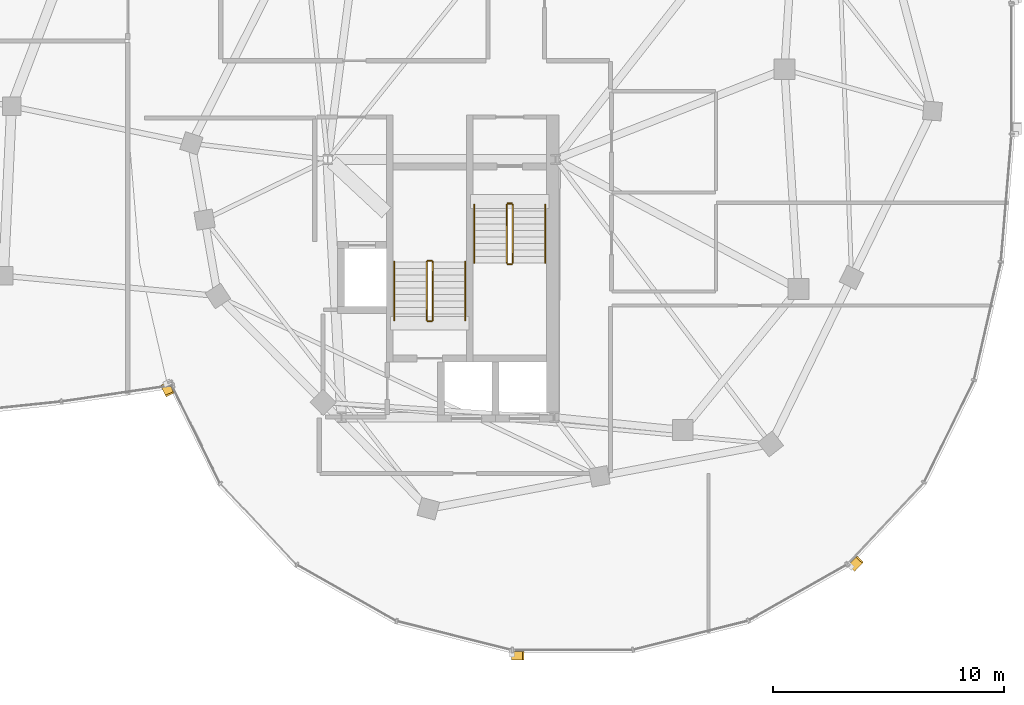
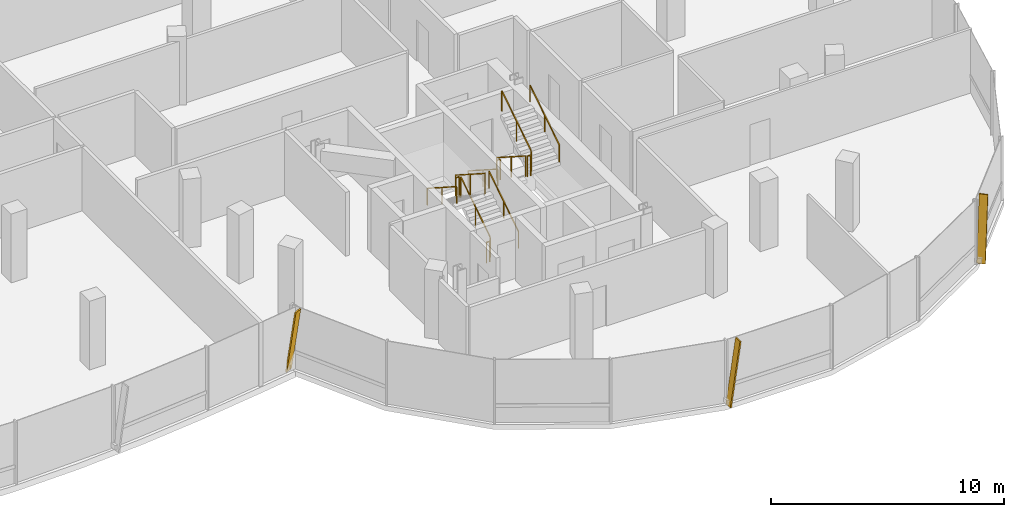
# One storey, part 24 of 25: 12 railings, 3 shading devices.
"""IFC4 building model written with IfcOpenShell, lengths in metres."""

from ifc_helpers import new_model, si_unit, direction, frame, origin, origin_2d, place, context, subcontext, project, spatial, rectangle, extrude, material, material_profile, profile_set, type_object, element, save


model = new_model("IFC4")

# Units and contexts
model_context = context("Model", 3, precision=1e-05, world=origin(), true_north=direction((0.0, 1.0)))
body_context = subcontext(model_context, "Body", "Model", "MODEL_VIEW")
ifc_project = project(units=[si_unit("LENGTHUNIT", "METRE"), si_unit("AREAUNIT", "SQUARE_METRE"), si_unit("VOLUMEUNIT", "CUBIC_METRE"), si_unit("PLANEANGLEUNIT", "RADIAN"), si_unit("MASSUNIT", "GRAM", prefix="KILO"), si_unit("THERMODYNAMICTEMPERATUREUNIT", "KELVIN"), si_unit("POWERUNIT", "WATT")], contexts=[model_context])

# Site, building, storey
site_placement = place(None, origin())
site = spatial("IfcSite", under=ifc_project, at=site_placement, CompositionType="ELEMENT")
building_placement = place(site_placement, origin())
building = spatial("IfcBuilding", under=site, at=building_placement, Name="Cundina Bronze Exchange", CompositionType="ELEMENT")
storey_placement = place(building_placement, frame((0.0, 0.0, 250.39990234375)))
storey = spatial("IfcBuildingStorey", under=building, at=storey_placement, Name="L66", CompositionType="ELEMENT", Elevation=250.39990234375)

# Railings
ifc_material_1 = material(Name="Steel ASTM A36 Painted", Category="steel")
railing_type_1 = type_object("IfcRailingType", Name="RLG-HND-900", PredefinedType="HANDRAIL", material=ifc_material_1)
railing_1_placement = place(storey_placement, frame((27.7900390625, -5.85009765625, 0.18017578125)))
element("IfcRailing", 1, at=railing_1_placement, inside=storey, type_object=railing_type_1, Name="L66 ST-E1 stair handrail 1", PredefinedType="HANDRAIL", context=body_context, shape_type="SweptSolid", body=[
    extrude(rectangle(XDim=0.048095703125, YDim=0.048095703125, at=origin_2d()), frame((0.0, 0.0, 0.8759765625), z_axis=(0.0, -0.841199657755, 0.540724639528), x_axis=(1.0, 0.0, 0.0)), (0.0, 0.0, 1.0), 2.995849609375),
    extrude(rectangle(XDim=0.0419921875, YDim=0.0419921875, at=origin_2d()), origin(), (0.0, 0.0, 1.0), 0.851806640625),
    extrude(rectangle(XDim=0.0419921875, YDim=0.0419921875, at=origin_2d()), frame((0.0, -1.260009765625, 0.81005859375)), (0.0, 0.0, 1.0), 0.851806640625),
    extrude(rectangle(XDim=0.0419921875, YDim=0.0419921875, at=origin_2d()), frame((0.0, -2.52001953125, 1.619873046875)), (0.0, 0.0, 1.0), 0.851806640625),
])
railing_2_placement = place(storey_placement, frame((30.85009765625, -8.3701171875, 1.97998046875)))
element("IfcRailing", 2, at=railing_2_placement, inside=storey, type_object=railing_type_1, Name="L66 ST-E1 stair handrail 2", PredefinedType="HANDRAIL", context=body_context, shape_type="SweptSolid", body=[
    extrude(rectangle(XDim=0.048095703125, YDim=0.048095703125, at=origin_2d()), frame((0.0, 0.0, 0.8759765625), z_axis=(0.0, 0.841162588446, 0.540782303519), x_axis=(-1.0, 0.0, 0.0)), (0.0, 0.0, 1.0), 2.995849609375),
    extrude(rectangle(XDim=0.0419921875, YDim=0.0419921875, at=origin_2d()), origin(), (0.0, 0.0, 1.0), 0.851806640625),
    extrude(rectangle(XDim=0.0419921875, YDim=0.0419921875, at=origin_2d()), frame((0.0, 1.260009765625, 0.81005859375)), (0.0, 0.0, 1.0), 0.851806640625),
    extrude(rectangle(XDim=0.0419921875, YDim=0.0419921875, at=origin_2d()), frame((0.0, 2.52001953125, 1.6201171875)), (0.0, 0.0, 1.0), 0.851806640625),
])
railing_3_placement = place(storey_placement, frame((27.389892578125, -10.85009765625, 0.18017578125)))
element("IfcRailing", 3, at=railing_3_placement, inside=storey, type_object=railing_type_1, Name="L66 ST-E2 stair handrail 1", PredefinedType="HANDRAIL", context=body_context, shape_type="SweptSolid", body=[
    extrude(rectangle(XDim=0.048095703125, YDim=0.048095703125, at=origin_2d()), frame((0.0, 0.0, 0.8759765625), z_axis=(0.0, 0.841199657755, 0.540724639528), x_axis=(-1.0, 0.0, 0.0)), (0.0, 0.0, 1.0), 2.995849609375),
    extrude(rectangle(XDim=0.0419921875, YDim=0.0419921875, at=origin_2d()), origin(), (0.0, 0.0, 1.0), 0.851806640625),
    extrude(rectangle(XDim=0.0419921875, YDim=0.0419921875, at=origin_2d()), frame((0.0, 1.260009765625, 0.81005859375)), (0.0, 0.0, 1.0), 0.851806640625),
    extrude(rectangle(XDim=0.0419921875, YDim=0.0419921875, at=origin_2d()), frame((0.0, 2.52001953125, 1.619873046875)), (0.0, 0.0, 1.0), 0.851806640625),
])
railing_4_placement = place(storey_placement, frame((24.330078125, -8.330078125, 1.97998046875)))
element("IfcRailing", 4, at=railing_4_placement, inside=storey, type_object=railing_type_1, Name="L66 ST-E2 stair handrail 2", PredefinedType="HANDRAIL", context=body_context, shape_type="SweptSolid", body=[
    extrude(rectangle(XDim=0.048095703125, YDim=0.048095703125, at=origin_2d()), frame((0.0, 0.0, 0.8759765625), z_axis=(0.0, -0.841162588446, 0.540782303519), x_axis=(1.0, 0.0, 0.0)), (0.0, 0.0, 1.0), 2.995849609375),
    extrude(rectangle(XDim=0.0419921875, YDim=0.0419921875, at=origin_2d()), origin(), (0.0, 0.0, 1.0), 0.851806640625),
    extrude(rectangle(XDim=0.0419921875, YDim=0.0419921875, at=origin_2d()), frame((0.0, -1.260009765625, 0.81005859375)), (0.0, 0.0, 1.0), 0.851806640625),
    extrude(rectangle(XDim=0.0419921875, YDim=0.0419921875, at=origin_2d()), frame((0.0, -2.52001953125, 1.6201171875)), (0.0, 0.0, 1.0), 0.851806640625),
])
railing_type_2 = type_object("IfcRailingType", Name="RLG-STG-1100", PredefinedType="GUARDRAIL", material=ifc_material_1)
railing_5_placement = place(storey_placement, frame((29.18994140625, -5.85009765625, 0.18017578125)))
element("IfcRailing", 5, at=railing_5_placement, inside=storey, type_object=railing_type_2, Name="L66 ST-E1 stair guard 1", PredefinedType="GUARDRAIL", context=body_context, shape_type="SweptSolid", body=[
    extrude(rectangle(XDim=0.048095703125, YDim=0.048095703125, at=origin_2d()), frame((0.0, 0.0, 1.076171875), z_axis=(0.0, -0.841199657755, 0.540724639528), x_axis=(1.0, 0.0, 0.0)), (0.0, 0.0, 1.0), 2.995849609375),
    extrude(rectangle(XDim=0.0419921875, YDim=0.0419921875, at=origin_2d()), origin(), (0.0, 0.0, 1.0), 1.052001953125),
    extrude(rectangle(XDim=0.0419921875, YDim=0.0419921875, at=origin_2d()), frame((0.0, -1.260009765625, 0.81005859375)), (0.0, 0.0, 1.0), 1.052001953125),
    extrude(rectangle(XDim=0.0419921875, YDim=0.0419921875, at=origin_2d()), frame((0.0, -2.52001953125, 1.619873046875)), (0.0, 0.0, 1.0), 1.052001953125),
])
railing_6_placement = place(storey_placement, frame((29.239990234375, -8.419921875, 1.800048828125)))
element("IfcRailing", 6, at=railing_6_placement, inside=storey, type_object=railing_type_2, Name="L66 ST-E1 stair guard 2", PredefinedType="GUARDRAIL", context=body_context, shape_type="SweptSolid", body=[
    extrude(rectangle(XDim=0.048095703125, YDim=0.048095703125, at=origin_2d()), frame((0.0, 0.0, 1.076171875), z_axis=(1.0, 0.0, 0.0), x_axis=(0.0, 1.0, 0.0)), (0.0, 0.0, 1.0), 0.159912109375),
    extrude(rectangle(XDim=0.0419921875, YDim=0.0419921875, at=origin_2d()), origin(), (0.0, 0.0, 1.0), 1.052001953125),
    extrude(rectangle(XDim=0.0419921875, YDim=0.0419921875, at=origin_2d()), frame((0.159912109375, 0.0, 0.0)), (0.0, 0.0, 1.0), 1.052001953125),
])
railing_7_placement = place(storey_placement, frame((29.449951171875, -8.3701171875, 1.97998046875)))
element("IfcRailing", 7, at=railing_7_placement, inside=storey, type_object=railing_type_2, Name="L66 ST-E1 stair guard 3", PredefinedType="GUARDRAIL", context=body_context, shape_type="SweptSolid", body=[
    extrude(rectangle(XDim=0.048095703125, YDim=0.048095703125, at=origin_2d()), frame((0.0, 0.0, 1.076171875), z_axis=(0.0, 0.841162588446, 0.540782303519), x_axis=(-1.0, 0.0, 0.0)), (0.0, 0.0, 1.0), 2.995849609375),
    extrude(rectangle(XDim=0.0419921875, YDim=0.0419921875, at=origin_2d()), origin(), (0.0, 0.0, 1.0), 1.052001953125),
    extrude(rectangle(XDim=0.0419921875, YDim=0.0419921875, at=origin_2d()), frame((0.0, 1.260009765625, 0.81005859375)), (0.0, 0.0, 1.0), 1.052001953125),
    extrude(rectangle(XDim=0.0419921875, YDim=0.0419921875, at=origin_2d()), frame((0.0, 2.52001953125, 1.6201171875)), (0.0, 0.0, 1.0), 1.052001953125),
])
railing_8_placement = place(storey_placement, frame((29.239990234375, -5.800048828125, 0.0)))
element("IfcRailing", 8, at=railing_8_placement, inside=storey, type_object=railing_type_2, Name="L66 ST-E1 stair guard 4", PredefinedType="GUARDRAIL", context=body_context, shape_type="SweptSolid", body=[
    extrude(rectangle(XDim=0.048095703125, YDim=0.048095703125, at=origin_2d()), frame((0.0, 0.0, 1.076171875), z_axis=(1.0, 0.0, 0.0), x_axis=(0.0, 1.0, 0.0)), (0.0, 0.0, 1.0), 0.159912109375),
    extrude(rectangle(XDim=0.0419921875, YDim=0.0419921875, at=origin_2d()), origin(), (0.0, 0.0, 1.0), 1.052001953125),
    extrude(rectangle(XDim=0.0419921875, YDim=0.0419921875, at=origin_2d()), frame((0.159912109375, 0.0, 0.0)), (0.0, 0.0, 1.0), 1.052001953125),
])
railing_9_placement = place(storey_placement, frame((25.989990234375, -10.85009765625, 0.18017578125)))
element("IfcRailing", 9, at=railing_9_placement, inside=storey, type_object=railing_type_2, Name="L66 ST-E2 stair guard 1", PredefinedType="GUARDRAIL", context=body_context, shape_type="SweptSolid", body=[
    extrude(rectangle(XDim=0.048095703125, YDim=0.048095703125, at=origin_2d()), frame((0.0, 0.0, 1.076171875), z_axis=(0.0, 0.841199657755, 0.540724639528), x_axis=(-1.0, 0.0, 0.0)), (0.0, 0.0, 1.0), 2.995849609375),
    extrude(rectangle(XDim=0.0419921875, YDim=0.0419921875, at=origin_2d()), origin(), (0.0, 0.0, 1.0), 1.052001953125),
    extrude(rectangle(XDim=0.0419921875, YDim=0.0419921875, at=origin_2d()), frame((0.0, 1.260009765625, 0.81005859375)), (0.0, 0.0, 1.0), 1.052001953125),
    extrude(rectangle(XDim=0.0419921875, YDim=0.0419921875, at=origin_2d()), frame((0.0, 2.52001953125, 1.619873046875)), (0.0, 0.0, 1.0), 1.052001953125),
])
railing_10_placement = place(storey_placement, frame((25.93994140625, -8.280029296875, 1.800048828125)))
element("IfcRailing", 10, at=railing_10_placement, inside=storey, type_object=railing_type_2, Name="L66 ST-E2 stair guard 2", PredefinedType="GUARDRAIL", context=body_context, shape_type="SweptSolid", body=[
    extrude(rectangle(XDim=0.048095703125, YDim=0.048095703125, at=origin_2d()), frame((0.0, 0.0, 1.076171875), z_axis=(-1.0, 0.0, 0.0), x_axis=(0.0, -1.0, 0.0)), (0.0, 0.0, 1.0), 0.159912109375),
    extrude(rectangle(XDim=0.0419921875, YDim=0.0419921875, at=origin_2d()), origin(), (0.0, 0.0, 1.0), 1.052001953125),
    extrude(rectangle(XDim=0.0419921875, YDim=0.0419921875, at=origin_2d()), frame((-0.159912109375, 0.0, 0.0)), (0.0, 0.0, 1.0), 1.052001953125),
])
railing_11_placement = place(storey_placement, frame((25.72998046875, -8.330078125, 1.97998046875)))
element("IfcRailing", 11, at=railing_11_placement, inside=storey, type_object=railing_type_2, Name="L66 ST-E2 stair guard 3", PredefinedType="GUARDRAIL", context=body_context, shape_type="SweptSolid", body=[
    extrude(rectangle(XDim=0.048095703125, YDim=0.048095703125, at=origin_2d()), frame((0.0, 0.0, 1.076171875), z_axis=(0.0, -0.841162588446, 0.540782303519), x_axis=(1.0, 0.0, 0.0)), (0.0, 0.0, 1.0), 2.995849609375),
    extrude(rectangle(XDim=0.0419921875, YDim=0.0419921875, at=origin_2d()), origin(), (0.0, 0.0, 1.0), 1.052001953125),
    extrude(rectangle(XDim=0.0419921875, YDim=0.0419921875, at=origin_2d()), frame((0.0, -1.260009765625, 0.81005859375)), (0.0, 0.0, 1.0), 1.052001953125),
    extrude(rectangle(XDim=0.0419921875, YDim=0.0419921875, at=origin_2d()), frame((0.0, -2.52001953125, 1.6201171875)), (0.0, 0.0, 1.0), 1.052001953125),
])
railing_12_placement = place(storey_placement, frame((25.93994140625, -10.89990234375, 0.0)))
element("IfcRailing", 12, at=railing_12_placement, inside=storey, type_object=railing_type_2, Name="L66 ST-E2 stair guard 4", PredefinedType="GUARDRAIL", context=body_context, shape_type="SweptSolid", body=[
    extrude(rectangle(XDim=0.048095703125, YDim=0.048095703125, at=origin_2d()), frame((0.0, 0.0, 1.076171875), z_axis=(-1.0, 0.0, 0.0), x_axis=(0.0, -1.0, 0.0)), (0.0, 0.0, 1.0), 0.159912109375),
    extrude(rectangle(XDim=0.0419921875, YDim=0.0419921875, at=origin_2d()), origin(), (0.0, 0.0, 1.0), 1.052001953125),
    extrude(rectangle(XDim=0.0419921875, YDim=0.0419921875, at=origin_2d()), frame((-0.159912109375, 0.0, 0.0)), (0.0, 0.0, 1.0), 1.052001953125),
])

# Shading devices
ifc_material_2 = material(Name="Anodised Bronze Aluminium 6063-T6", Category="aluminium")
ifc_material_profile = material_profile(ifc_material_2, rectangle(XDim=0.070068359375, YDim=0.3798828125, at=origin_2d()), Name="FIN70X380", Category="aluminium")
ifc_profile_set = profile_set([ifc_material_profile], Name="Anodised Bronze Aluminium 6063-T6")
shading_device_type = type_object("IfcShadingDeviceType", Name="SHD-FIN-BRZ380", PredefinedType="USERDEFINED", material=ifc_profile_set)
for number, where, z_axis, x_axis, name in (
    (13, (14.406494140625, -13.614013671875, 0.02001953125), (0.063400368732, -0.129216686851, 0.989587510574), (-0.435900311632, 0.888411143223, 0.143932480407), "L66 Diagonal Bronze Solar Fin 1"),
    (14, (29.423583984375, -25.360107421875, 0.02001953125), (0.143932024572, 0.0, 0.989587576874), (-0.989587576874, 0.0, 0.143932024572), "L66 Diagonal Bronze Solar Fin 5"),
    (15, (44.122314453125, -21.55078125, 0.02001953125), (0.098541444371, 0.10491076507, 0.989587446926), (-0.677505727677, -0.721296959704, 0.143932918008), "L66 Diagonal Bronze Solar Fin 1"),
):
    element("IfcShadingDevice", number, at=place(storey_placement, frame(where, z_axis=z_axis, x_axis=x_axis)), inside=storey, type_object=shading_device_type, Name=name, ObjectType="FIN", PredefinedType="USERDEFINED", context=body_context, shape_type="SweptSolid", body=[
        extrude(rectangle(XDim=0.070068359375, YDim=0.3798828125, at=origin_2d()), origin(), (0.0, 0.0, 1.0), 3.334716796875),
    ])

save(model, "model.ifc")
